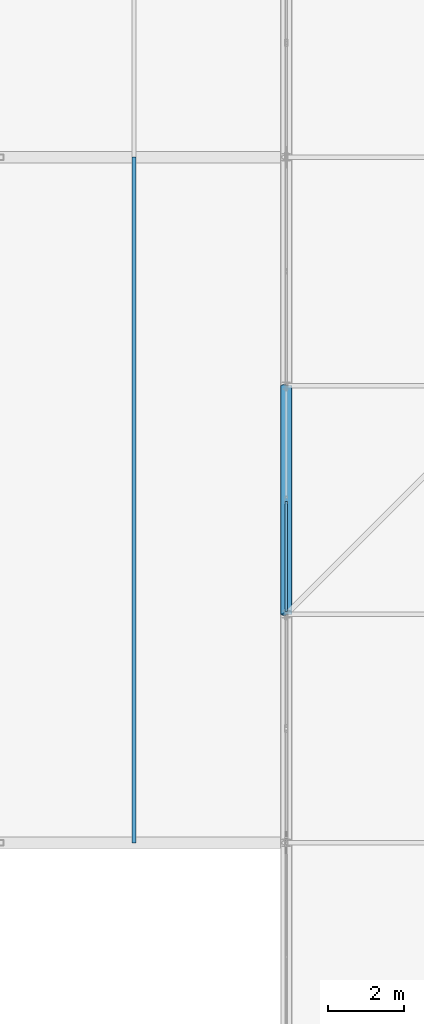
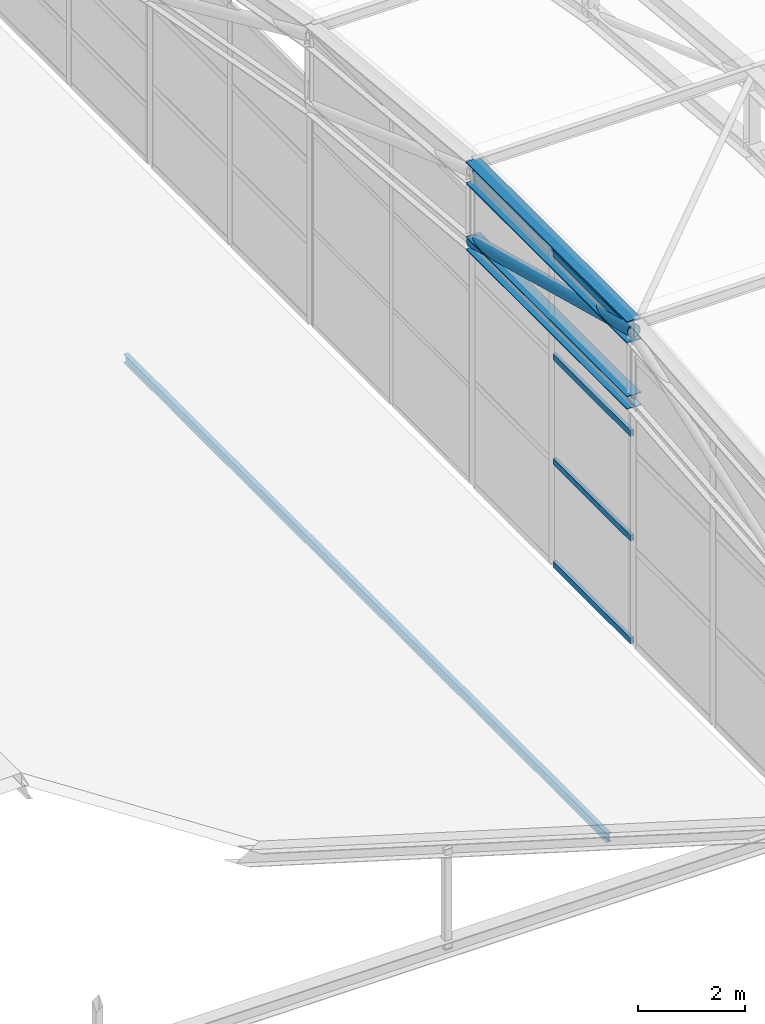
# One storey, part 25 of 204: 8 members, 1 element without a shape of its own.
"""IFC4 building model written with IfcOpenShell, lengths in metres."""

from ifc_helpers import new_model, si_unit, direction, frame, origin, origin_2d, place, context, subcontext, project, spatial, hollow_rectangle, hollow_circle, i_section, extrude, material, layer, layer_set, material_profile, profile_set, type_object, element, aggregate, save


model = new_model("IFC4")

# Units and contexts
model_context = context("Model", 3, precision=1e-05, world=origin(), true_north=direction((0.0, 1.0)))
body_context = subcontext(model_context, "Body", "Model", "MODEL_VIEW")
ifc_project = project(units=[si_unit("LENGTHUNIT", "METRE"), si_unit("AREAUNIT", "SQUARE_METRE"), si_unit("VOLUMEUNIT", "CUBIC_METRE"), si_unit("PLANEANGLEUNIT", "RADIAN"), si_unit("MASSUNIT", "GRAM", prefix="KILO")], contexts=[model_context])

# Site, building, storey
site_placement = place(None, origin())
site = spatial("IfcSite", under=ifc_project, at=site_placement, CompositionType="ELEMENT")
building_placement = place(site_placement, origin())
building = spatial("IfcBuilding", under=site, at=building_placement, Name="Zilviju Railside Exhibition Hall", CompositionType="ELEMENT")
storey_placement = place(building_placement, frame((0.0, 0.0, 21.0)))
storey = spatial("IfcBuildingStorey", under=building, at=storey_placement, Name="RF", CompositionType="ELEMENT", Elevation=21.0)

# Curtain wall, members
ifc_material_1 = material(Name="Thermally broken aluminium-steel triple-glazed curtain wall", Category="steel")
ifc_layer = layer(ifc_material_1, 0.179931640625)
ifc_layer_set = layer_set([ifc_layer], Name="Thermally broken aluminium-steel triple-glazed curtain wall")
curtain_wall_type = type_object("IfcCurtainWallType", Name="CW-BAY-13", PredefinedType="USERDEFINED", material=ifc_layer_set)
curtain_wall_placement = place(storey_placement, origin())
curtain_wall = element("IfcCurtainWall", 1, at=curtain_wall_placement, inside=storey, type_object=curtain_wall_type, Name="South Hall Arch Tympanum Glazing West P5", ObjectType="GLAZED CURTAIN WALL", PredefinedType="USERDEFINED")
ifc_material_2 = material(Name="Thermally broken anodized aluminium transom", Category="aluminium")
ifc_material_profile_1 = material_profile(ifc_material_2, hollow_rectangle(XDim=0.074951171875, YDim=0.139892578125, WallThickness=0.0048828125, at=origin_2d()), Name="TRANSOM 140x75x5")
ifc_profile_set_1 = profile_set([ifc_material_profile_1], Name="Thermally broken anodized aluminium transom")
member_type_1 = type_object("IfcMemberType", Name="CWT-75x140", PredefinedType="USERDEFINED", material=ifc_profile_set_1)
member_1_placement = place(storey_placement, frame((78.0, 24.074951171875, -7.762451171875), z_axis=(0.0, 1.0, 0.0), x_axis=(-1.0, 0.0, 0.0)))
member_1 = element("IfcMember", 2, at=member_1_placement, type_object=member_type_1, Name="CW-13 transom 1.1", ObjectType="TRANSOM", PredefinedType="USERDEFINED", context=body_context, shape_type="SweptSolid", body=[
    extrude(hollow_rectangle(XDim=0.074951171875, YDim=0.139892578125, WallThickness=0.0048828125, at=origin_2d()), origin(), (0.0, 0.0, 1.0), 2.887451171875),
])
member_2_placement = place(storey_placement, frame((78.0, 24.074951171875, -5.423095703125), z_axis=(0.0, 1.0, 0.0), x_axis=(-1.0, 0.0, 0.0)))
member_2 = element("IfcMember", 3, at=member_2_placement, type_object=member_type_1, Name="CW-13 transom 1.2", ObjectType="TRANSOM", PredefinedType="USERDEFINED", context=body_context, shape_type="SweptSolid", body=[
    extrude(hollow_rectangle(XDim=0.074951171875, YDim=0.139892578125, WallThickness=0.0048828125, at=origin_2d()), origin(), (0.0, 0.0, 1.0), 2.887451171875),
])
member_3_placement = place(storey_placement, frame((78.0, 24.074951171875, -3.0458984375), z_axis=(0.0, 1.0, 0.0), x_axis=(-1.0, 0.0, 0.0)))
member_3 = element("IfcMember", 4, at=member_3_placement, type_object=member_type_1, Name="CW-13 transom 1.3", ObjectType="TRANSOM", PredefinedType="USERDEFINED", context=body_context, shape_type="SweptSolid", body=[
    extrude(hollow_rectangle(XDim=0.074951171875, YDim=0.139892578125, WallThickness=0.0048828125, at=origin_2d()), origin(), (0.0, 0.0, 1.0), 2.887451171875),
])
member_4_placement = place(storey_placement, frame((78.0, 24.074951171875, -0.70654296875), z_axis=(0.0, 1.0, 0.0), x_axis=(-1.0, 0.0, 0.0)))
member_4 = element("IfcMember", 5, at=member_4_placement, type_object=member_type_1, Name="CW-13 transom 1.4", ObjectType="TRANSOM", PredefinedType="USERDEFINED", context=body_context, shape_type="SweptSolid", body=[
    extrude(hollow_rectangle(XDim=0.074951171875, YDim=0.139892578125, WallThickness=0.0048828125, at=origin_2d()), origin(), (0.0, 0.0, 1.0), 2.887451171875),
])
aggregate(curtain_wall, [member_1, member_2, member_3, member_4])

# Members
ifc_material_3 = material(Name="Steel S355ML", Category="steel")
ifc_material_profile_2 = material_profile(ifc_material_3, hollow_circle(Radius=0.136474609375, WallThickness=0.012451171875, at=origin_2d()), Name="CHS 273.0x12.5")
ifc_profile_set_2 = profile_set([ifc_material_profile_2], Name="Steel S355ML")
member_type_2 = type_object("IfcMemberType", Name="TR-BR-CHS273", PredefinedType="BRACE", material=ifc_profile_set_2)
member_5_placement = place(storey_placement, frame((78.0, 24.0, -0.669189453125), z_axis=(0.0, 0.966240812345, -0.257640626762), x_axis=(-1.0, 0.0, 0.0)))
element("IfcMember", 6, at=member_5_placement, inside=storey, type_object=member_type_2, Name="V1 Parabolic Arch Web Diagonal X=78.0 P5", PredefinedType="BRACE", context=body_context, shape_type="SweptSolid", body=[
    extrude(hollow_circle(Radius=0.136474609375, WallThickness=0.012451171875, at=origin_2d()), origin(), (0.0, 0.0, 1.0), 6.209716796875),
])
ifc_material_profile_3 = material_profile(ifc_material_3, i_section(OverallWidth=0.300048828125, OverallDepth=0.300048828125, WebThickness=0.010986328125, FlangeThickness=0.01904296875, at=origin_2d()), Name="HEB 300")
ifc_profile_set_3 = profile_set([ifc_material_profile_3], Name="Steel S355ML")
member_type_3 = type_object("IfcMemberType", Name="TR-CH-HEB300", PredefinedType="CHORD", material=ifc_profile_set_3)
member_6_placement = place(storey_placement, frame((78.0, 24.0, -2.26904296875), z_axis=(0.0, 1.0, 0.0), x_axis=(-1.0, 0.0, 0.0)))
element("IfcMember", 7, at=member_6_placement, inside=storey, type_object=member_type_3, Name="V1 Parabolic Arch Bottom Chord X=78.0 P5", PredefinedType="CHORD", context=body_context, shape_type="SweptSolid", body=[
    extrude(i_section(OverallWidth=0.300048828125, OverallDepth=0.300048828125, WebThickness=0.010986328125, FlangeThickness=0.01904296875, at=origin_2d()), origin(), (0.0, 0.0, 1.0), 6.0),
])
ifc_material_profile_4 = material_profile(ifc_material_3, i_section(OverallWidth=0.300048828125, OverallDepth=0.5, WebThickness=0.014404296875, FlangeThickness=0.028076171875, at=origin_2d()), Name="HEB 500")
ifc_profile_set_4 = profile_set([ifc_material_profile_4], Name="Steel S355ML")
member_type_4 = type_object("IfcMemberType", Name="TR-CH-HEB500-ML", PredefinedType="CHORD", material=ifc_profile_set_4)
member_7_placement = place(storey_placement, frame((78.0, 24.0, -0.669189453125), z_axis=(0.0, 1.0, 0.0), x_axis=(-1.0, 0.0, 0.0)))
element("IfcMember", 8, at=member_7_placement, inside=storey, type_object=member_type_4, Name="V1 Parabolic Arch Top Chord X=78.0 P5", PredefinedType="CHORD", context=body_context, shape_type="SweptSolid", body=[
    extrude(i_section(OverallWidth=0.300048828125, OverallDepth=0.5, WebThickness=0.014404296875, FlangeThickness=0.028076171875, at=origin_2d()), origin(), (0.0, 0.0, 1.0), 6.0),
])
ifc_material_4 = material(Name="Steel S355J2", Category="steel")
ifc_material_profile_5 = material_profile(ifc_material_4, i_section(OverallWidth=0.10009765625, OverallDepth=0.199951171875, WebThickness=0.005615234375, FlangeThickness=0.008544921875, at=origin_2d()), Name="IPE 200")
ifc_profile_set_5 = profile_set([ifc_material_profile_5], Name="Steel S355J2")
member_type_5 = type_object("IfcMemberType", Name="TR-PUR-IPE200", PredefinedType="PURLIN", material=ifc_profile_set_5)
member_8_placement = place(storey_placement, frame((74.0, 18.0, -7.159912109375), z_axis=(0.0, 1.0, 0.0), x_axis=(-1.0, 0.0, 0.0)))
element("IfcMember", 9, at=member_8_placement, inside=storey, type_object=member_type_5, Name="Concourse Lantern Purlin X=74.0", PredefinedType="PURLIN", context=body_context, shape_type="SweptSolid", body=[
    extrude(i_section(OverallWidth=0.10009765625, OverallDepth=0.199951171875, WebThickness=0.005615234375, FlangeThickness=0.008544921875, at=origin_2d()), origin(), (0.0, 0.0, 1.0), 18.0),
])

save(model, "model.ifc")
